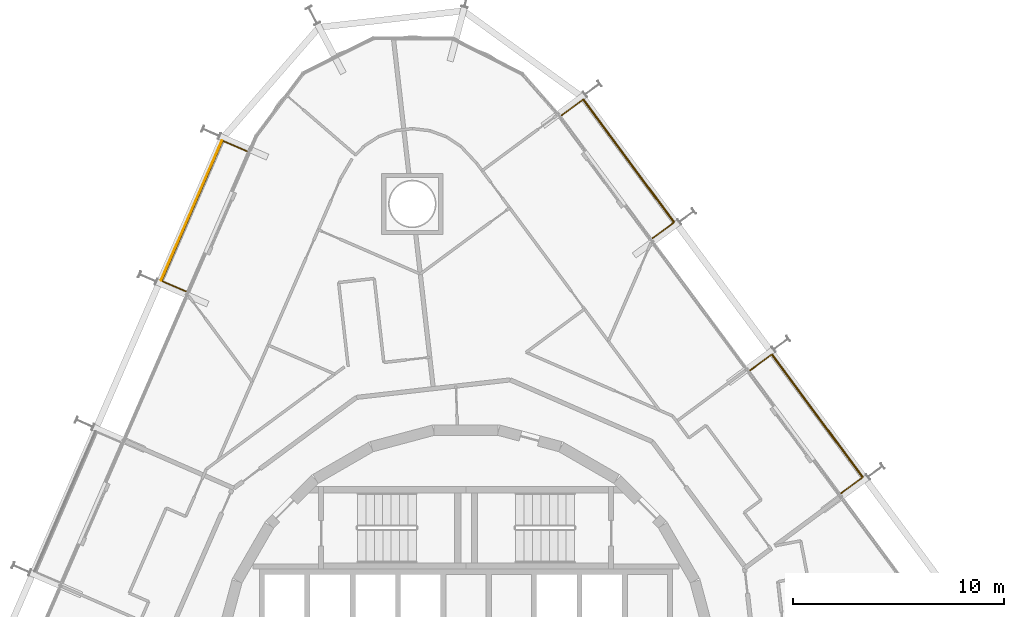
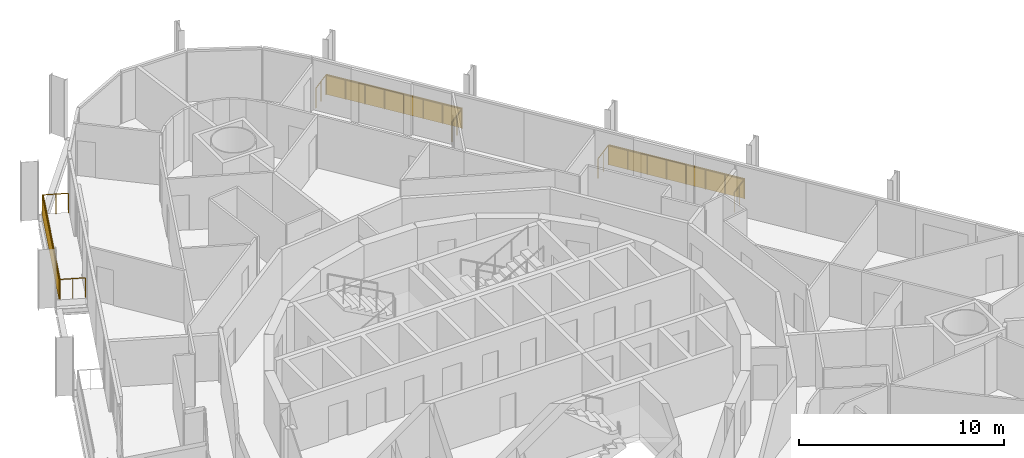
# One storey, part 24 of 24: 3 railings, 3 shading devices.
"""IFC4 building model written with IfcOpenShell, lengths in metres."""

import ifcopenshell
import ifcopenshell.guid

model = None  # the IFC model being written
_history = None  # IfcOwnerHistory: only IFC2X3 demands one
_inside = {}  # id of a spatial element -> (the spatial element, [elements in it])
_under = {}  # id of a project, library or spatial element -> (it, [spatial elements below it])
_declared = {}  # id of a project -> (the project, [libraries it declares])
_typed = {}  # id of a type object -> (the type object, [elements of that type])
_made_of = {}  # id of a material, layer set ... -> (it, [elements and type objects made of it])


def new_model(schema):
    """Start an empty IFC model of exactly this schema.

    Asked for "IFC4X3", IfcOpenShell would pick the latest addendum, in which some entities
    have other attributes; the version numbers below select the first issue.
    IFC2X3 requires an IfcOwnerHistory on every rooted entity: one is made here for all.
    """
    global model, _history
    if schema == "IFC4X3":
        model = ifcopenshell.file(schema_version=(4, 3, 0, 0))
    else:
        model = ifcopenshell.file(schema=schema)
    _inside.clear()
    _under.clear()
    _declared.clear()
    _typed.clear()
    _made_of.clear()
    _history = None
    if model.schema == "IFC2X3":
        org = make("IfcOrganization", Name="unknown")
        user = make(
            "IfcPersonAndOrganization",
            ThePerson=make("IfcPerson", FamilyName="unknown"),
            TheOrganization=org,
        )
        app = make(
            "IfcApplication",
            ApplicationDeveloper=org,
            Version="unknown",
            ApplicationFullName="unknown",
            ApplicationIdentifier="unknown",
        )
        _history = make(
            "IfcOwnerHistory",
            OwningUser=user,
            OwningApplication=app,
            ChangeAction="ADDED",
            CreationDate=0,
        )
    return model


def make(cls, **values):
    """One entity of the class cls with the attributes given. An attribute that is None is left unset."""
    return model.create_entity(
        cls, **{name: value for name, value in values.items() if value is not None}
    )


def rooted(cls, **values):
    """An entity with a GlobalId (a new one), such as an element, a storey or a relation."""
    return make(cls, GlobalId=ifcopenshell.guid.new(), OwnerHistory=_history, **values)


def si_unit(unit_type, name, prefix=None):
    """IfcSIUnit, for example si_unit("LENGTHUNIT", "METRE", prefix="MILLI")."""
    return make("IfcSIUnit", UnitType=unit_type, Prefix=prefix, Name=name)


def assignment(units):
    """IfcUnitAssignment: the units of a project."""
    return None if units is None else make("IfcUnitAssignment", Units=units)


def point(xyz):
    """IfcCartesianPoint."""
    return None if xyz is None else make("IfcCartesianPoint", Coordinates=xyz)


def direction(xyz):
    """IfcDirection."""
    return None if xyz is None else make("IfcDirection", DirectionRatios=xyz)


def frame(location, z_axis=None, x_axis=None):
    """IfcAxis2Placement3D, a coordinate frame: its origin and axes. An axis left out is left unset."""
    return make(
        "IfcAxis2Placement3D",
        Location=point(location),
        Axis=direction(z_axis),
        RefDirection=direction(x_axis),
    )


def frame_2d(location, x_axis=None):
    """IfcAxis2Placement2D, a coordinate frame in the plane: its origin and x axis."""
    return make(
        "IfcAxis2Placement2D", Location=point(location), RefDirection=direction(x_axis)
    )


def origin():
    """The frame at (0, 0, 0) with its axes left unset."""
    return frame((0.0, 0.0, 0.0))


def origin_2d():
    """The frame at (0, 0) in the plane with its x axis left unset."""
    return frame_2d((0.0, 0.0))


def place(relative_to, where):
    """IfcLocalPlacement: puts the frame where relative to a parent placement (None: the world)."""
    return make(
        "IfcLocalPlacement", PlacementRelTo=relative_to, RelativePlacement=where
    )


def context(
    kind, dimensions, precision=None, world=None, true_north=None, identifier=None
):
    """IfcGeometricRepresentationContext, for example the 3D "Model" context."""
    return make(
        "IfcGeometricRepresentationContext",
        ContextIdentifier=identifier,
        ContextType=kind,
        CoordinateSpaceDimension=dimensions,
        Precision=precision,
        WorldCoordinateSystem=world,
        TrueNorth=true_north,
    )


def subcontext(parent, identifier, kind, view, scale=None):
    """IfcGeometricRepresentationSubContext, for example "Body" below "Model"."""
    return make(
        "IfcGeometricRepresentationSubContext",
        ContextIdentifier=identifier,
        ContextType=kind,
        ParentContext=parent,
        TargetScale=scale,
        TargetView=view,
    )


def project(units=None, contexts=None):
    """IfcProject with its units and contexts."""
    return rooted(
        "IfcProject",
        Name="project",
        RepresentationContexts=contexts,
        UnitsInContext=assignment(units),
    )


def spatial(cls, under=None, at=None, **own):
    """A site, building, storey or space (cls), placed at a placement, below another one or the project."""
    s = rooted(cls, ObjectPlacement=at, **own)
    if under is not None:
        _under.setdefault(under.id(), (under, []))[1].append(s)
    return s


def profile(cls, at=None, kind="AREA", **sizes):
    """A parametric profile (cls). Its sizes go by their IFC names, for example OverallWidth=200.0."""
    return make(cls, ProfileType=kind, Position=at, **sizes)


def rectangle(**sizes):
    """IfcRectangleProfileDef."""
    return profile("IfcRectangleProfileDef", **sizes)


def circle(**sizes):
    """IfcCircleProfileDef."""
    return profile("IfcCircleProfileDef", **sizes)


def extrude(swept, where, along, depth):
    """IfcExtrudedAreaSolid: the profile swept, set in the frame where, extruded along a direction by depth."""
    return make(
        "IfcExtrudedAreaSolid",
        SweptArea=swept,
        Position=where,
        ExtrudedDirection=direction(along),
        Depth=depth,
    )


def shape(context_of_items, identifier, shape_type, items):
    """IfcShapeRepresentation: the items that make up one representation, for example the "Body"."""
    return make(
        "IfcShapeRepresentation",
        ContextOfItems=context_of_items,
        RepresentationIdentifier=identifier,
        RepresentationType=shape_type,
        Items=items,
    )


def material(Name=None, Category=None):
    """IfcMaterial."""
    return make("IfcMaterial", Name=Name, Category=Category)


def layer(
    of_material, thickness, ventilated=None, Name=None, Category=None, Priority=None
):
    """IfcMaterialLayer: one layer of a wall or slab, of a material (None: an air gap)."""
    return make(
        "IfcMaterialLayer",
        Material=of_material,
        LayerThickness=thickness,
        IsVentilated=ventilated,
        Name=Name,
        Category=Category,
        Priority=Priority,
    )


def layer_set(layers, Name=None):
    """IfcMaterialLayerSet."""
    return make("IfcMaterialLayerSet", MaterialLayers=layers, LayerSetName=Name)


def made_of(thing, what):
    """Note that an element or type object is made of a material, layer set ...; save() writes the relation."""
    if what is not None:
        _made_of.setdefault(what.id(), (what, []))[1].append(thing)
    return thing


def type_object(cls, material=None, **own):
    """A type object (cls), such as IfcWallType, which elements share."""
    return made_of(rooted(cls, **own), material)


def element(
    cls,
    number,
    at=None,
    inside=None,
    cuts=None,
    type_object=None,
    material=None,
    context=None,
    identifier="Body",
    shape_type=None,
    held_by="IfcProductDefinitionShape",
    body=None,
    shapes=None,
    **own,
):
    """One element of the class cls, such as IfcWall. Its Tag is "e" and its number.

    at: its placement. inside: the storey or other place that contains it. cuts: it is an
    opening in that element (IfcRelVoidsElement). A single representation is given by context,
    identifier, shape_type and body (its items); several are given by shapes. held_by: the class
    of the entity that holds the representations. save() writes the other relations.
    """
    e = rooted(cls, Tag="e%d" % number, ObjectPlacement=at, **own)
    if body is not None:
        shapes = [shape(context, identifier, shape_type, body)]
    if shapes is not None:
        e.Representation = make(held_by, Representations=shapes)
    if inside is not None:
        _inside.setdefault(inside.id(), (inside, []))[1].append(e)
    if cuts is not None:
        rooted(
            "IfcRelVoidsElement", RelatingBuildingElement=cuts, RelatedOpeningElement=e
        )
    if type_object is not None:
        _typed.setdefault(type_object.id(), (type_object, []))[1].append(e)
    return made_of(e, material)


def aggregate(whole, parts):
    """IfcRelAggregates: a whole, such as a stair, and the parts it consists of."""
    return rooted("IfcRelAggregates", RelatingObject=whole, RelatedObjects=parts)


def save(model, path):
    """Write the relations noted so far, then the file.

    IfcRelAggregates (storeys below a building ...), IfcRelContainedInSpatialStructure (elements
    in a storey), IfcRelDefinesByType, IfcRelAssociatesMaterial and IfcRelDeclares: one each for
    every whole, place, type object, material and project.
    """
    for whole, parts in _under.values():
        aggregate(whole, parts)
    for where, things in _inside.values():
        rooted(
            "IfcRelContainedInSpatialStructure",
            RelatedElements=things,
            RelatingStructure=where,
        )
    for kind, things in _typed.values():
        rooted("IfcRelDefinesByType", RelatedObjects=things, RelatingType=kind)
    for what, things in _made_of.values():
        rooted("IfcRelAssociatesMaterial", RelatedObjects=things, RelatingMaterial=what)
    for by, libraries in _declared.values():
        rooted("IfcRelDeclares", RelatingContext=by, RelatedDefinitions=libraries)
    model.write(path)


model = new_model("IFC4")

# Units and contexts
model_context = context("Model", 3, precision=1e-05, world=origin(), true_north=direction((0.0, 1.0)))
body_context = subcontext(model_context, "Body", "Model", "MODEL_VIEW")
ifc_project = project(units=[si_unit("LENGTHUNIT", "METRE"), si_unit("AREAUNIT", "SQUARE_METRE"), si_unit("VOLUMEUNIT", "CUBIC_METRE"), si_unit("PLANEANGLEUNIT", "RADIAN"), si_unit("MASSUNIT", "GRAM", prefix="KILO")], contexts=[model_context])

# Site, building, storey
site_placement = place(None, origin())
site = spatial("IfcSite", under=ifc_project, at=site_placement, CompositionType="ELEMENT")
building_placement = place(site_placement, origin())
building = spatial("IfcBuilding", under=site, at=building_placement, Name="Spindle Arch Residences", CompositionType="ELEMENT")
storey_placement = place(building_placement, frame((0.0, 0.0, 94.199951171875)))
storey = spatial("IfcBuildingStorey", under=building, at=storey_placement, Name="L22", CompositionType="ELEMENT", Elevation=94.199951171875)

# Railings
ifc_material_1 = material(Name="Bronze anodised aluminium guard with glass infill", Category="aluminium")
railing_type = type_object("IfcRailingType", Name="Balcony guard 1200", PredefinedType="GUARDRAIL", material=ifc_material_1)
railing_1_placement = place(storey_placement, frame((17.788818359375, 8.654296875, 0.0)))
element("IfcRailing", 1, at=railing_1_placement, inside=storey, type_object=railing_type, Name="Guard L22 bay 8", PredefinedType="GUARDRAIL", context=body_context, shape_type="SweptSolid", body=[
    extrude(circle(Radius=0.02392578125, at=origin_2d()), frame((0.0, 0.0, 1.17578125), z_axis=(0.803826957932, 0.594863195787, 0.0), x_axis=(-0.594863195787, 0.803826957932, 0.0)), (0.0, 0.0, 1.0), 1.250244140625),
    extrude(circle(Radius=0.02392578125, at=origin_2d()), frame((1.0048828125, 0.74365234375, 1.17578125), z_axis=(-0.594830382786, 0.803851239792, 0.0), x_axis=(-0.803851239792, -0.594830382786, 0.0)), (0.0, 0.0, 1.0), 7.248779296875),
    extrude(circle(Radius=0.02392578125, at=origin_2d()), frame((-3.306884765625, 6.570556640625, 1.17578125), z_axis=(-0.803920341668, -0.594736987459, 0.0), x_axis=(0.594736987459, -0.803920341668, 0.0)), (0.0, 0.0, 1.0), 1.25),
    extrude(circle(Radius=0.02099609375, at=origin_2d()), origin(), (0.0, 0.0, 1.0), 1.15185546875),
    extrude(circle(Radius=0.02099609375, at=origin_2d()), frame((0.50244140625, 0.371826171875, 0.0)), (0.0, 0.0, 1.0), 1.15185546875),
    extrude(circle(Radius=0.02099609375, at=origin_2d()), frame((1.0048828125, 0.74365234375, 0.0)), (0.0, 0.0, 1.0), 1.15185546875),
    extrude(circle(Radius=0.02099609375, at=origin_2d()), frame((0.388916015625, 1.576171875, 0.0)), (0.0, 0.0, 1.0), 1.15185546875),
    extrude(circle(Radius=0.02099609375, at=origin_2d()), frame((-0.22705078125, 2.408447265625, 0.0)), (0.0, 0.0, 1.0), 1.15185546875),
    extrude(circle(Radius=0.02099609375, at=origin_2d()), frame((-0.843017578125, 3.240966796875, 0.0)), (0.0, 0.0, 1.0), 1.15185546875),
    extrude(circle(Radius=0.02099609375, at=origin_2d()), frame((-1.458984375, 4.0732421875, 0.0)), (0.0, 0.0, 1.0), 1.15185546875),
    extrude(circle(Radius=0.02099609375, at=origin_2d()), frame((-2.074951171875, 4.90576171875, 0.0)), (0.0, 0.0, 1.0), 1.15185546875),
    extrude(circle(Radius=0.02099609375, at=origin_2d()), frame((-2.69091796875, 5.738037109375, 0.0)), (0.0, 0.0, 1.0), 1.15185546875),
    extrude(circle(Radius=0.02099609375, at=origin_2d()), frame((-3.306884765625, 6.570556640625, 0.0)), (0.0, 0.0, 1.0), 1.15185546875),
    extrude(circle(Radius=0.02099609375, at=origin_2d()), frame((-3.809326171875, 6.19873046875, 0.0)), (0.0, 0.0, 1.0), 1.15185546875),
    extrude(circle(Radius=0.02099609375, at=origin_2d()), frame((-4.311767578125, 5.8271484375, 0.0)), (0.0, 0.0, 1.0), 1.15185546875),
])
railing_2_placement = place(storey_placement, frame((8.84423828125, 20.742431640625, 0.0)))
element("IfcRailing", 2, at=railing_2_placement, inside=storey, type_object=railing_type, Name="Guard L22 bay 10", PredefinedType="GUARDRAIL", context=body_context, shape_type="SweptSolid", body=[
    extrude(circle(Radius=0.02392578125, at=origin_2d()), frame((0.0, 0.0, 1.17578125), z_axis=(0.803851239792, 0.594830382786, 0.0), x_axis=(-0.594830382786, 0.803851239792, 0.0)), (0.0, 0.0, 1.0), 1.249755859375),
    extrude(circle(Radius=0.02392578125, at=origin_2d()), frame((1.004638671875, 0.743408203125, 1.17578125), z_axis=(-0.594814278624, 0.803863156231, 0.0), x_axis=(-0.803863156231, -0.594814278624, 0.0)), (0.0, 0.0, 1.0), 7.2490234375),
    extrude(circle(Radius=0.02392578125, at=origin_2d()), frame((-3.30712890625, 6.570556640625, 1.17578125), z_axis=(-0.803757834758, -0.594956589228, 0.0), x_axis=(0.594956589228, -0.803757834758, 0.0)), (0.0, 0.0, 1.0), 1.25),
    extrude(circle(Radius=0.02099609375, at=origin_2d()), origin(), (0.0, 0.0, 1.0), 1.15185546875),
    extrude(circle(Radius=0.02099609375, at=origin_2d()), frame((0.50244140625, 0.37158203125, 0.0)), (0.0, 0.0, 1.0), 1.15185546875),
    extrude(circle(Radius=0.02099609375, at=origin_2d()), frame((1.004638671875, 0.743408203125, 0.0)), (0.0, 0.0, 1.0), 1.15185546875),
    extrude(circle(Radius=0.02099609375, at=origin_2d()), frame((0.388671875, 1.575927734375, 0.0)), (0.0, 0.0, 1.0), 1.15185546875),
    extrude(circle(Radius=0.02099609375, at=origin_2d()), frame((-0.227294921875, 2.408203125, 0.0)), (0.0, 0.0, 1.0), 1.15185546875),
    extrude(circle(Radius=0.02099609375, at=origin_2d()), frame((-0.84326171875, 3.24072265625, 0.0)), (0.0, 0.0, 1.0), 1.15185546875),
    extrude(circle(Radius=0.02099609375, at=origin_2d()), frame((-1.459228515625, 4.0732421875, 0.0)), (0.0, 0.0, 1.0), 1.15185546875),
    extrude(circle(Radius=0.02099609375, at=origin_2d()), frame((-2.0751953125, 4.90576171875, 0.0)), (0.0, 0.0, 1.0), 1.15185546875),
    extrude(circle(Radius=0.02099609375, at=origin_2d()), frame((-2.691162109375, 5.738037109375, 0.0)), (0.0, 0.0, 1.0), 1.15185546875),
    extrude(circle(Radius=0.02099609375, at=origin_2d()), frame((-3.30712890625, 6.570556640625, 0.0)), (0.0, 0.0, 1.0), 1.15185546875),
    extrude(circle(Radius=0.02099609375, at=origin_2d()), frame((-3.8095703125, 6.19873046875, 0.0)), (0.0, 0.0, 1.0), 1.15185546875),
    extrude(circle(Radius=0.02099609375, at=origin_2d()), frame((-4.311767578125, 5.826904296875, 0.0)), (0.0, 0.0, 1.0), 1.15185546875),
])
railing_3_placement = place(storey_placement, frame((-10.39306640625, 24.868896484375, 0.0)))
element("IfcRailing", 3, at=railing_3_placement, inside=storey, type_object=railing_type, Name="Guard L22 bay 14", PredefinedType="GUARDRAIL", context=body_context, shape_type="SweptSolid", body=[
    extrude(circle(Radius=0.02392578125, at=origin_2d()), frame((0.0, 0.0, 1.17578125), z_axis=(-0.917020365572, 0.398840380511, 0.0), x_axis=(-0.398840380511, -0.917020365572, 0.0)), (0.0, 0.0, 1.0), 1.25),
    extrude(circle(Radius=0.02392578125, at=origin_2d()), frame((-1.146240234375, 0.49853515625, 1.17578125), z_axis=(-0.3987630566, -0.917053992244, 0.0), x_axis=(0.917053992244, -0.3987630566, 0.0)), (0.0, 0.0, 1.0), 7.2490234375),
    extrude(circle(Radius=0.02392578125, at=origin_2d()), frame((-4.036865234375, -6.149169921875, 1.17578125), z_axis=(0.917051427253, -0.398768955377, 0.0), x_axis=(0.398768955377, 0.917051427253, 0.0)), (0.0, 0.0, 1.0), 1.250244140625),
    extrude(circle(Radius=0.02099609375, at=origin_2d()), origin(), (0.0, 0.0, 1.0), 1.15185546875),
    extrude(circle(Radius=0.02099609375, at=origin_2d()), frame((-0.5732421875, 0.249267578125, 0.0)), (0.0, 0.0, 1.0), 1.15185546875),
    extrude(circle(Radius=0.02099609375, at=origin_2d()), frame((-1.146240234375, 0.49853515625, 0.0)), (0.0, 0.0, 1.0), 1.15185546875),
    extrude(circle(Radius=0.02099609375, at=origin_2d()), frame((-1.55908203125, -0.451171875, 0.0)), (0.0, 0.0, 1.0), 1.15185546875),
    extrude(circle(Radius=0.02099609375, at=origin_2d()), frame((-1.97216796875, -1.40087890625, 0.0)), (0.0, 0.0, 1.0), 1.15185546875),
    extrude(circle(Radius=0.02099609375, at=origin_2d()), frame((-2.385009765625, -2.3505859375, 0.0)), (0.0, 0.0, 1.0), 1.15185546875),
    extrude(circle(Radius=0.02099609375, at=origin_2d()), frame((-2.798095703125, -3.300048828125, 0.0)), (0.0, 0.0, 1.0), 1.15185546875),
    extrude(circle(Radius=0.02099609375, at=origin_2d()), frame((-3.2109375, -4.249755859375, 0.0)), (0.0, 0.0, 1.0), 1.15185546875),
    extrude(circle(Radius=0.02099609375, at=origin_2d()), frame((-3.6240234375, -5.199462890625, 0.0)), (0.0, 0.0, 1.0), 1.15185546875),
    extrude(circle(Radius=0.02099609375, at=origin_2d()), frame((-4.036865234375, -6.149169921875, 0.0)), (0.0, 0.0, 1.0), 1.15185546875),
    extrude(circle(Radius=0.02099609375, at=origin_2d()), frame((-3.463623046875, -6.3984375, 0.0)), (0.0, 0.0, 1.0), 1.15185546875),
    extrude(circle(Radius=0.02099609375, at=origin_2d()), frame((-2.890380859375, -6.647705078125, 0.0)), (0.0, 0.0, 1.0), 1.15185546875),
])

# Shading devices
ifc_material_2 = material(Name="Bronze perforated cobogo screen")
ifc_layer = layer(ifc_material_2, 0.0390625)
ifc_layer_set = layer_set([ifc_layer], Name="Cobogo screen 1200")
shading_device_type = type_object("IfcShadingDeviceType", Name="Cobogo screen 1200", PredefinedType="USERDEFINED", material=ifc_layer_set)
for number, where, z_axis, x_axis, name in (
    (4, (16.67041015625, 12.33544921875, 0.0), (0.0, 0.0, 1.0), (-0.594822786751, 0.803856860617, 0.0), "Cobogo screen L22 bay 8"),
    (5, (7.7255859375, 24.423583984375, 0.0), (0.0, 0.0, 1.0), (-0.594822786751, 0.803856860617, 0.0), "Cobogo screen L22 bay 10"),
    (6, (-13.021728515625, 22.0595703125, 0.0), (0.0, 0.0, 1.0), (-0.398749068925, -0.917060074385, 0.0), "Cobogo screen L22 bay 14"),
):
    element("IfcShadingDevice", number, at=place(storey_placement, frame(where, z_axis=z_axis, x_axis=x_axis)), inside=storey, type_object=shading_device_type, Name=name, ObjectType="SCREEN", PredefinedType="USERDEFINED", context=body_context, shape_type="SweptSolid", body=[
        extrude(rectangle(XDim=7.248779296875, YDim=0.0390625, at=origin_2d()), origin(), (0.0, 0.0, 1.0), 1.199951171875),
    ])

save(model, "model.ifc")
